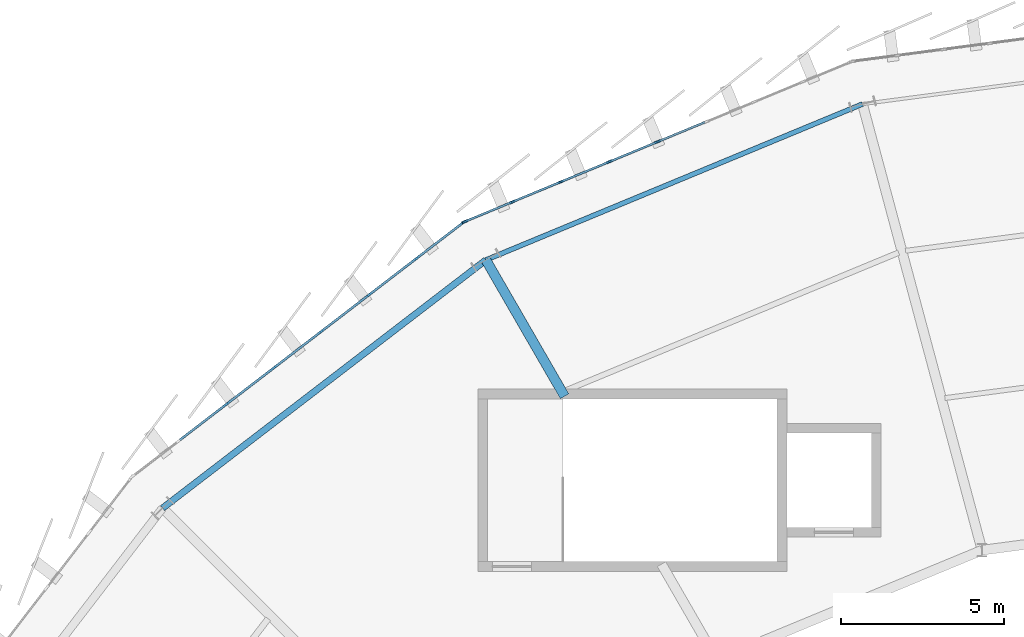
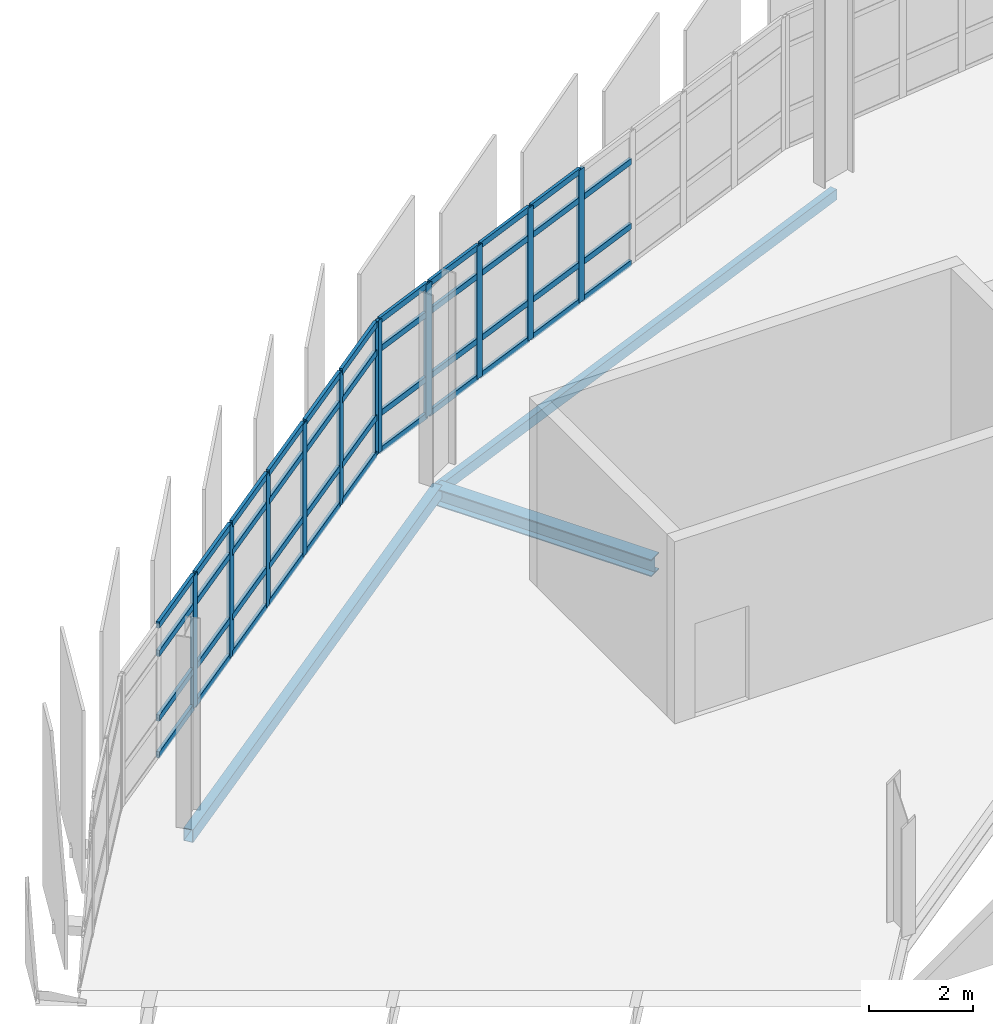
# One storey, part 33 of 67: 54 members, 3 beams, 2 elements without a shape of their own.
"""IFC4 building model written with IfcOpenShell, lengths in metres."""

from ifc_helpers import new_model, si_unit, direction, frame, origin, origin_2d, place, context, subcontext, project, spatial, rectangle, hollow_rectangle, i_section, extrude, material, layer, layer_set, material_profile, profile_set, type_object, element, aggregate, save


model = new_model("IFC4")

# Units and contexts
model_context = context("Model", 3, precision=1e-05, world=origin(), true_north=direction((0.0, 1.0)))
body_context = subcontext(model_context, "Body", "Model", "MODEL_VIEW")
ifc_project = project(units=[si_unit("LENGTHUNIT", "METRE"), si_unit("AREAUNIT", "SQUARE_METRE"), si_unit("VOLUMEUNIT", "CUBIC_METRE"), si_unit("PLANEANGLEUNIT", "RADIAN"), si_unit("MASSUNIT", "GRAM", prefix="KILO")], contexts=[model_context])

# Site, building, storey
site_placement = place(None, origin())
site = spatial("IfcSite", under=ifc_project, at=site_placement, CompositionType="ELEMENT")
building_placement = place(site_placement, origin())
building = spatial("IfcBuilding", under=site, at=building_placement, Name="Sohan Crest Arena", CompositionType="ELEMENT")
storey_placement = place(building_placement, frame((0.0, 0.0, 22.5)))
storey = spatial("IfcBuildingStorey", under=building, at=storey_placement, Name="L05", CompositionType="ELEMENT", Elevation=22.5)

# Curtain wall, members
ifc_material_1 = material(Name="Thermally broken anodised aluminium", Category="aluminium")
ifc_layer_1 = layer(ifc_material_1, 0.199951171875, Name="Thermally broken anodised aluminium")
ifc_layer_set_1 = layer_set([ifc_layer_1], Name="Thermally broken anodised aluminium")
curtain_wall_type_1 = type_object("IfcCurtainWallType", Name="ARC-CW02", PredefinedType="NOTDEFINED", material=ifc_layer_set_1)
curtain_wall_1_placement = place(storey_placement, origin())
curtain_wall_1 = element("IfcCurtainWall", 1, at=curtain_wall_1_placement, inside=storey, type_object=curtain_wall_type_1, Name="Unitised curtain wall CW-147", PredefinedType="NOTDEFINED")
ifc_material_profile_1 = material_profile(ifc_material_1, rectangle(XDim=0.06494140625, YDim=0.179931640625, at=origin_2d()), Name="ALU-MULL 65x180")
ifc_profile_set_1 = profile_set([ifc_material_profile_1], Name="Thermally broken anodised aluminium")
member_type_1 = type_object("IfcMemberType", Name="ARC-CW-ML02", PredefinedType="MULLION", material=ifc_profile_set_1)
member_1_placement = place(storey_placement, frame((79.27587890625, 123.202880859375, 0.0), z_axis=(0.0, 0.0, 1.0), x_axis=(0.382685432009, -0.923878704229, 0.0)))
member_1 = element("IfcMember", 2, at=member_1_placement, type_object=member_type_1, Name="CW-147 mullion 5", PredefinedType="MULLION", context=body_context, shape_type="SweptSolid", body=[
    extrude(rectangle(XDim=0.06494140625, YDim=0.179931640625, at=origin_2d()), origin(), (0.0, 0.0, 1.0), 3.1201171875),
])
member_2_placement = place(storey_placement, frame((77.788330078125, 122.586669921875, 0.0), z_axis=(0.0, 0.0, 1.0), x_axis=(0.382685432009, -0.923878704229, 0.0)))
member_2 = element("IfcMember", 3, at=member_2_placement, type_object=member_type_1, Name="CW-147 mullion 6", PredefinedType="MULLION", context=body_context, shape_type="SweptSolid", body=[
    extrude(rectangle(XDim=0.06494140625, YDim=0.179931640625, at=origin_2d()), origin(), (0.0, 0.0, 1.0), 3.1201171875),
])
member_3_placement = place(storey_placement, frame((76.300537109375, 121.970458984375, 0.0), z_axis=(0.0, 0.0, 1.0), x_axis=(0.382685432009, -0.923878704229, 0.0)))
member_3 = element("IfcMember", 4, at=member_3_placement, type_object=member_type_1, Name="CW-147 mullion 7", PredefinedType="MULLION", context=body_context, shape_type="SweptSolid", body=[
    extrude(rectangle(XDim=0.06494140625, YDim=0.179931640625, at=origin_2d()), origin(), (0.0, 0.0, 1.0), 3.1201171875),
])
member_4_placement = place(storey_placement, frame((74.812744140625, 121.354248046875, 0.0), z_axis=(0.0, 0.0, 1.0), x_axis=(0.382685432009, -0.923878704229, 0.0)))
member_4 = element("IfcMember", 5, at=member_4_placement, type_object=member_type_1, Name="CW-147 mullion 8", PredefinedType="MULLION", context=body_context, shape_type="SweptSolid", body=[
    extrude(rectangle(XDim=0.06494140625, YDim=0.179931640625, at=origin_2d()), origin(), (0.0, 0.0, 1.0), 3.1201171875),
])
member_5_placement = place(storey_placement, frame((73.35498046875, 120.75048828125, 0.0), z_axis=(0.0, 0.0, 1.0), x_axis=(0.382685432009, -0.923878704229, 0.0)))
member_5 = element("IfcMember", 6, at=member_5_placement, type_object=member_type_1, Name="CW-147 mullion 9", PredefinedType="MULLION", context=body_context, shape_type="SweptSolid", body=[
    extrude(rectangle(XDim=0.06494140625, YDim=0.179931640625, at=origin_2d()), origin(), (0.0, 0.0, 1.0), 3.1201171875),
])

ifc_layer_2 = layer(ifc_material_1, 0.219970703125, Name="Thermally broken anodised aluminium")
ifc_layer_set_2 = layer_set([ifc_layer_2], Name="Thermally broken anodised aluminium")
curtain_wall_type_2 = type_object("IfcCurtainWallType", Name="ARC-CW03", PredefinedType="NOTDEFINED", material=ifc_layer_set_2)
curtain_wall_2_placement = place(storey_placement, origin())
curtain_wall_2 = element("IfcCurtainWall", 7, at=curtain_wall_2_placement, inside=storey, type_object=curtain_wall_type_2, Name="Unitised curtain wall CW-148", PredefinedType="NOTDEFINED")
ifc_material_profile_2 = material_profile(ifc_material_1, rectangle(XDim=0.070068359375, YDim=0.199951171875, at=origin_2d()), Name="ALU-MULL 70x200")
ifc_profile_set_2 = profile_set([ifc_material_profile_2], Name="Thermally broken anodised aluminium")
member_type_2 = type_object("IfcMemberType", Name="ARC-CW-ML03", PredefinedType="MULLION", material=ifc_profile_set_2)
member_6_placement = place(storey_placement, frame((73.297119140625, 120.716796875, 0.0), z_axis=(0.0, 0.0, 1.0), x_axis=(0.60871994181, -0.793385172815, 0.0)))
member_6 = element("IfcMember", 8, at=member_6_placement, type_object=member_type_2, Name="CW-148 mullion 1", PredefinedType="MULLION", context=body_context, shape_type="SweptSolid", body=[
    extrude(rectangle(XDim=0.070068359375, YDim=0.199951171875, at=origin_2d()), origin(), (0.0, 0.0, 1.0), 3.1201171875),
])
member_7_placement = place(storey_placement, frame((71.86474609375, 119.61767578125, 0.0), z_axis=(0.0, 0.0, 1.0), x_axis=(0.60871994181, -0.793385172815, 0.0)))
member_7 = element("IfcMember", 9, at=member_7_placement, type_object=member_type_2, Name="CW-148 mullion 2", PredefinedType="MULLION", context=body_context, shape_type="SweptSolid", body=[
    extrude(rectangle(XDim=0.070068359375, YDim=0.199951171875, at=origin_2d()), origin(), (0.0, 0.0, 1.0), 3.1201171875),
])
member_8_placement = place(storey_placement, frame((70.40478515625, 118.497314453125, 0.0), z_axis=(0.0, 0.0, 1.0), x_axis=(0.60871994181, -0.793385172815, 0.0)))
member_8 = element("IfcMember", 10, at=member_8_placement, type_object=member_type_2, Name="CW-148 mullion 3", PredefinedType="MULLION", context=body_context, shape_type="SweptSolid", body=[
    extrude(rectangle(XDim=0.070068359375, YDim=0.199951171875, at=origin_2d()), origin(), (0.0, 0.0, 1.0), 3.1201171875),
])
member_9_placement = place(storey_placement, frame((68.944580078125, 117.377197265625, 0.0), z_axis=(0.0, 0.0, 1.0), x_axis=(0.60871994181, -0.793385172815, 0.0)))
member_9 = element("IfcMember", 11, at=member_9_placement, type_object=member_type_2, Name="CW-148 mullion 4", PredefinedType="MULLION", context=body_context, shape_type="SweptSolid", body=[
    extrude(rectangle(XDim=0.070068359375, YDim=0.199951171875, at=origin_2d()), origin(), (0.0, 0.0, 1.0), 3.1201171875),
])
member_10_placement = place(storey_placement, frame((67.484375, 116.2568359375, 0.0), z_axis=(0.0, 0.0, 1.0), x_axis=(0.60871994181, -0.793385172815, 0.0)))
member_10 = element("IfcMember", 12, at=member_10_placement, type_object=member_type_2, Name="CW-148 mullion 5", PredefinedType="MULLION", context=body_context, shape_type="SweptSolid", body=[
    extrude(rectangle(XDim=0.070068359375, YDim=0.199951171875, at=origin_2d()), origin(), (0.0, 0.0, 1.0), 3.1201171875),
])
member_11_placement = place(storey_placement, frame((66.024169921875, 115.136474609375, 0.0), z_axis=(0.0, 0.0, 1.0), x_axis=(0.60871994181, -0.793385172815, 0.0)))
member_11 = element("IfcMember", 13, at=member_11_placement, type_object=member_type_2, Name="CW-148 mullion 6", PredefinedType="MULLION", context=body_context, shape_type="SweptSolid", body=[
    extrude(rectangle(XDim=0.070068359375, YDim=0.199951171875, at=origin_2d()), origin(), (0.0, 0.0, 1.0), 3.1201171875),
])

# Member
ifc_material_profile_3 = material_profile(ifc_material_1, rectangle(XDim=0.06494140625, YDim=0.139892578125, at=origin_2d()), Name="ALU-TRAN 65x140")
ifc_profile_set_3 = profile_set([ifc_material_profile_3], Name="Thermally broken anodised aluminium")
member_type_3 = type_object("IfcMemberType", Name="ARC-CW-TR02", PredefinedType="USERDEFINED", material=ifc_profile_set_3)
member_12_placement = place(storey_placement, frame((80.733642578125, 123.806884765625, 0.032470703125), z_axis=(-0.923841599032, -0.382774999052, 0.0), x_axis=(0.382774999052, -0.923841599032, 0.0)))
member_12 = element("IfcMember", 14, at=member_12_placement, type_object=member_type_3, Name="CW-147 transom 4.1", ObjectType="TRANSOM", PredefinedType="USERDEFINED", context=body_context, shape_type="SweptSolid", body=[
    extrude(rectangle(XDim=0.06494140625, YDim=0.139892578125, at=origin_2d()), origin(), (0.0, 0.0, 1.0), 1.54541015625),
])

member_13_placement = place(storey_placement, frame((80.733642578125, 123.806884765625, 0.89990234375), z_axis=(-0.923841599032, -0.382774999052, 0.0), x_axis=(0.382774999052, -0.923841599032, 0.0)))
member_13 = element("IfcMember", 15, at=member_13_placement, type_object=member_type_3, Name="CW-147 transom 4.2", ObjectType="TRANSOM", PredefinedType="USERDEFINED", context=body_context, shape_type="SweptSolid", body=[
    extrude(rectangle(XDim=0.06494140625, YDim=0.139892578125, at=origin_2d()), origin(), (0.0, 0.0, 1.0), 1.54541015625),
])

member_14_placement = place(storey_placement, frame((80.733642578125, 123.806884765625, 2.419921875), z_axis=(-0.923841599032, -0.382774999052, 0.0), x_axis=(0.382774999052, -0.923841599032, 0.0)))
member_14 = element("IfcMember", 16, at=member_14_placement, type_object=member_type_3, Name="CW-147 transom 4.3", ObjectType="TRANSOM", PredefinedType="USERDEFINED", context=body_context, shape_type="SweptSolid", body=[
    extrude(rectangle(XDim=0.06494140625, YDim=0.139892578125, at=origin_2d()), origin(), (0.0, 0.0, 1.0), 1.54541015625),
])

member_15_placement = place(storey_placement, frame((79.24609375, 123.190673828125, 0.032470703125), z_axis=(-0.923841599032, -0.382774999052, 0.0), x_axis=(0.382774999052, -0.923841599032, 0.0)))
member_15 = element("IfcMember", 17, at=member_15_placement, type_object=member_type_3, Name="CW-147 transom 5.1", ObjectType="TRANSOM", PredefinedType="USERDEFINED", context=body_context, shape_type="SweptSolid", body=[
    extrude(rectangle(XDim=0.06494140625, YDim=0.139892578125, at=origin_2d()), origin(), (0.0, 0.0, 1.0), 1.54541015625),
])

member_16_placement = place(storey_placement, frame((79.24609375, 123.190673828125, 0.89990234375), z_axis=(-0.923841599032, -0.382774999052, 0.0), x_axis=(0.382774999052, -0.923841599032, 0.0)))
member_16 = element("IfcMember", 18, at=member_16_placement, type_object=member_type_3, Name="CW-147 transom 5.2", ObjectType="TRANSOM", PredefinedType="USERDEFINED", context=body_context, shape_type="SweptSolid", body=[
    extrude(rectangle(XDim=0.06494140625, YDim=0.139892578125, at=origin_2d()), origin(), (0.0, 0.0, 1.0), 1.54541015625),
])

member_17_placement = place(storey_placement, frame((79.24609375, 123.190673828125, 2.419921875), z_axis=(-0.923841599032, -0.382774999052, 0.0), x_axis=(0.382774999052, -0.923841599032, 0.0)))
member_17 = element("IfcMember", 19, at=member_17_placement, type_object=member_type_3, Name="CW-147 transom 5.3", ObjectType="TRANSOM", PredefinedType="USERDEFINED", context=body_context, shape_type="SweptSolid", body=[
    extrude(rectangle(XDim=0.06494140625, YDim=0.139892578125, at=origin_2d()), origin(), (0.0, 0.0, 1.0), 1.54541015625),
])

member_18_placement = place(storey_placement, frame((79.24609375, 123.190673828125, 3.08740234375), z_axis=(-0.923841599032, -0.382774999052, 0.0), x_axis=(0.382774999052, -0.923841599032, 0.0)))
member_18 = element("IfcMember", 20, at=member_18_placement, type_object=member_type_3, Name="CW-147 transom 5.4", ObjectType="TRANSOM", PredefinedType="USERDEFINED", context=body_context, shape_type="SweptSolid", body=[
    extrude(rectangle(XDim=0.06494140625, YDim=0.139892578125, at=origin_2d()), origin(), (0.0, 0.0, 1.0), 1.54541015625),
])

member_19_placement = place(storey_placement, frame((77.75830078125, 122.57421875, 0.032470703125), z_axis=(-0.923897456466, -0.382640157244, 0.0), x_axis=(0.382640157244, -0.923897456466, 0.0)))
member_19 = element("IfcMember", 21, at=member_19_placement, type_object=member_type_3, Name="CW-147 transom 6.1", ObjectType="TRANSOM", PredefinedType="USERDEFINED", context=body_context, shape_type="SweptSolid", body=[
    extrude(rectangle(XDim=0.06494140625, YDim=0.139892578125, at=origin_2d()), origin(), (0.0, 0.0, 1.0), 1.54541015625),
])

member_20_placement = place(storey_placement, frame((77.75830078125, 122.57421875, 0.89990234375), z_axis=(-0.923897456466, -0.382640157244, 0.0), x_axis=(0.382640157244, -0.923897456466, 0.0)))
member_20 = element("IfcMember", 22, at=member_20_placement, type_object=member_type_3, Name="CW-147 transom 6.2", ObjectType="TRANSOM", PredefinedType="USERDEFINED", context=body_context, shape_type="SweptSolid", body=[
    extrude(rectangle(XDim=0.06494140625, YDim=0.139892578125, at=origin_2d()), origin(), (0.0, 0.0, 1.0), 1.54541015625),
])

member_21_placement = place(storey_placement, frame((77.75830078125, 122.57421875, 2.419921875), z_axis=(-0.923897456466, -0.382640157244, 0.0), x_axis=(0.382640157244, -0.923897456466, 0.0)))
member_21 = element("IfcMember", 23, at=member_21_placement, type_object=member_type_3, Name="CW-147 transom 6.3", ObjectType="TRANSOM", PredefinedType="USERDEFINED", context=body_context, shape_type="SweptSolid", body=[
    extrude(rectangle(XDim=0.06494140625, YDim=0.139892578125, at=origin_2d()), origin(), (0.0, 0.0, 1.0), 1.54541015625),
])

member_22_placement = place(storey_placement, frame((77.75830078125, 122.57421875, 3.08740234375), z_axis=(-0.923897456466, -0.382640157244, 0.0), x_axis=(0.382640157244, -0.923897456466, 0.0)))
member_22 = element("IfcMember", 24, at=member_22_placement, type_object=member_type_3, Name="CW-147 transom 6.4", ObjectType="TRANSOM", PredefinedType="USERDEFINED", context=body_context, shape_type="SweptSolid", body=[
    extrude(rectangle(XDim=0.06494140625, YDim=0.139892578125, at=origin_2d()), origin(), (0.0, 0.0, 1.0), 1.54541015625),
])

member_23_placement = place(storey_placement, frame((76.2705078125, 121.9580078125, 0.032470703125), z_axis=(-0.923897456466, -0.382640157244, 0.0), x_axis=(0.382640157244, -0.923897456466, 0.0)))
member_23 = element("IfcMember", 25, at=member_23_placement, type_object=member_type_3, Name="CW-147 transom 7.1", ObjectType="TRANSOM", PredefinedType="USERDEFINED", context=body_context, shape_type="SweptSolid", body=[
    extrude(rectangle(XDim=0.06494140625, YDim=0.139892578125, at=origin_2d()), origin(), (0.0, 0.0, 1.0), 1.54541015625),
])

member_24_placement = place(storey_placement, frame((76.2705078125, 121.9580078125, 0.89990234375), z_axis=(-0.923897456466, -0.382640157244, 0.0), x_axis=(0.382640157244, -0.923897456466, 0.0)))
member_24 = element("IfcMember", 26, at=member_24_placement, type_object=member_type_3, Name="CW-147 transom 7.2", ObjectType="TRANSOM", PredefinedType="USERDEFINED", context=body_context, shape_type="SweptSolid", body=[
    extrude(rectangle(XDim=0.06494140625, YDim=0.139892578125, at=origin_2d()), origin(), (0.0, 0.0, 1.0), 1.54541015625),
])

member_25_placement = place(storey_placement, frame((76.2705078125, 121.9580078125, 2.419921875), z_axis=(-0.923897456466, -0.382640157244, 0.0), x_axis=(0.382640157244, -0.923897456466, 0.0)))
member_25 = element("IfcMember", 27, at=member_25_placement, type_object=member_type_3, Name="CW-147 transom 7.3", ObjectType="TRANSOM", PredefinedType="USERDEFINED", context=body_context, shape_type="SweptSolid", body=[
    extrude(rectangle(XDim=0.06494140625, YDim=0.139892578125, at=origin_2d()), origin(), (0.0, 0.0, 1.0), 1.54541015625),
])

member_26_placement = place(storey_placement, frame((76.2705078125, 121.9580078125, 3.08740234375), z_axis=(-0.923897456466, -0.382640157244, 0.0), x_axis=(0.382640157244, -0.923897456466, 0.0)))
member_26 = element("IfcMember", 28, at=member_26_placement, type_object=member_type_3, Name="CW-147 transom 7.4", ObjectType="TRANSOM", PredefinedType="USERDEFINED", context=body_context, shape_type="SweptSolid", body=[
    extrude(rectangle(XDim=0.06494140625, YDim=0.139892578125, at=origin_2d()), origin(), (0.0, 0.0, 1.0), 1.54541015625),
])

member_27_placement = place(storey_placement, frame((74.78271484375, 121.341796875, 0.032470703125), z_axis=(-0.923900792868, -0.382632101291, 0.0), x_axis=(0.382632101291, -0.923900792868, 0.0)))
member_27 = element("IfcMember", 29, at=member_27_placement, type_object=member_type_3, Name="CW-147 transom 8.1", ObjectType="TRANSOM", PredefinedType="USERDEFINED", context=body_context, shape_type="SweptSolid", body=[
    extrude(rectangle(XDim=0.06494140625, YDim=0.139892578125, at=origin_2d()), origin(), (0.0, 0.0, 1.0), 1.512939453125),
])

member_28_placement = place(storey_placement, frame((74.78271484375, 121.341796875, 0.89990234375), z_axis=(-0.923900792868, -0.382632101291, 0.0), x_axis=(0.382632101291, -0.923900792868, 0.0)))
member_28 = element("IfcMember", 30, at=member_28_placement, type_object=member_type_3, Name="CW-147 transom 8.2", ObjectType="TRANSOM", PredefinedType="USERDEFINED", context=body_context, shape_type="SweptSolid", body=[
    extrude(rectangle(XDim=0.06494140625, YDim=0.139892578125, at=origin_2d()), origin(), (0.0, 0.0, 1.0), 1.512939453125),
])

member_29_placement = place(storey_placement, frame((74.78271484375, 121.341796875, 2.419921875), z_axis=(-0.923900792868, -0.382632101291, 0.0), x_axis=(0.382632101291, -0.923900792868, 0.0)))
member_29 = element("IfcMember", 31, at=member_29_placement, type_object=member_type_3, Name="CW-147 transom 8.3", ObjectType="TRANSOM", PredefinedType="USERDEFINED", context=body_context, shape_type="SweptSolid", body=[
    extrude(rectangle(XDim=0.06494140625, YDim=0.139892578125, at=origin_2d()), origin(), (0.0, 0.0, 1.0), 1.512939453125),
])

member_30_placement = place(storey_placement, frame((74.78271484375, 121.341796875, 3.08740234375), z_axis=(-0.923900792868, -0.382632101291, 0.0), x_axis=(0.382632101291, -0.923900792868, 0.0)))
member_30 = element("IfcMember", 32, at=member_30_placement, type_object=member_type_3, Name="CW-147 transom 8.4", ObjectType="TRANSOM", PredefinedType="USERDEFINED", context=body_context, shape_type="SweptSolid", body=[
    extrude(rectangle(XDim=0.06494140625, YDim=0.139892578125, at=origin_2d()), origin(), (0.0, 0.0, 1.0), 1.512939453125),
])

aggregate(curtain_wall_1, [member_1, member_2, member_3, member_4, member_5, member_12, member_13, member_14, member_15, member_16, member_17, member_18, member_19, member_20, member_21, member_22, member_23, member_24, member_25, member_26, member_27, member_28, member_29, member_30])

ifc_material_profile_4 = material_profile(ifc_material_1, rectangle(XDim=0.070068359375, YDim=0.14990234375, at=origin_2d()), Name="ALU-TRAN 70x150")
ifc_profile_set_4 = profile_set([ifc_material_profile_4], Name="Thermally broken anodised aluminium")
member_type_4 = type_object("IfcMemberType", Name="ARC-CW-TR03", PredefinedType="USERDEFINED", material=ifc_profile_set_4)
member_31_placement = place(storey_placement, frame((73.26953125, 120.6953125, 0.034912109375), z_axis=(-0.793402540985, -0.60869730405, 0.0), x_axis=(0.60869730405, -0.793402540985, 0.0)))
member_31 = element("IfcMember", 33, at=member_31_placement, type_object=member_type_4, Name="CW-148 transom 1.1", ObjectType="TRANSOM", PredefinedType="USERDEFINED", context=body_context, shape_type="SweptSolid", body=[
    extrude(rectangle(XDim=0.070068359375, YDim=0.14990234375, at=origin_2d()), origin(), (0.0, 0.0, 1.0), 1.735595703125),
])

member_32_placement = place(storey_placement, frame((73.26953125, 120.6953125, 0.89990234375), z_axis=(-0.793402540985, -0.60869730405, 0.0), x_axis=(0.60869730405, -0.793402540985, 0.0)))
member_32 = element("IfcMember", 34, at=member_32_placement, type_object=member_type_4, Name="CW-148 transom 1.2", ObjectType="TRANSOM", PredefinedType="USERDEFINED", context=body_context, shape_type="SweptSolid", body=[
    extrude(rectangle(XDim=0.070068359375, YDim=0.14990234375, at=origin_2d()), origin(), (0.0, 0.0, 1.0), 1.735595703125),
])

member_33_placement = place(storey_placement, frame((73.26953125, 120.6953125, 2.419921875), z_axis=(-0.793402540985, -0.60869730405, 0.0), x_axis=(0.60869730405, -0.793402540985, 0.0)))
member_33 = element("IfcMember", 35, at=member_33_placement, type_object=member_type_4, Name="CW-148 transom 1.3", ObjectType="TRANSOM", PredefinedType="USERDEFINED", context=body_context, shape_type="SweptSolid", body=[
    extrude(rectangle(XDim=0.070068359375, YDim=0.14990234375, at=origin_2d()), origin(), (0.0, 0.0, 1.0), 1.735595703125),
])

member_34_placement = place(storey_placement, frame((73.26953125, 120.6953125, 3.0849609375), z_axis=(-0.793402540985, -0.60869730405, 0.0), x_axis=(0.60869730405, -0.793402540985, 0.0)))
member_34 = element("IfcMember", 36, at=member_34_placement, type_object=member_type_4, Name="CW-148 transom 1.4", ObjectType="TRANSOM", PredefinedType="USERDEFINED", context=body_context, shape_type="SweptSolid", body=[
    extrude(rectangle(XDim=0.070068359375, YDim=0.14990234375, at=origin_2d()), origin(), (0.0, 0.0, 1.0), 1.735595703125),
])

member_35_placement = place(storey_placement, frame((71.837158203125, 119.596435546875, 0.034912109375), z_axis=(-0.793433215752, -0.608657319139, 0.0), x_axis=(0.608657319139, -0.793433215752, 0.0)))
member_35 = element("IfcMember", 37, at=member_35_placement, type_object=member_type_4, Name="CW-148 transom 2.1", ObjectType="TRANSOM", PredefinedType="USERDEFINED", context=body_context, shape_type="SweptSolid", body=[
    extrude(rectangle(XDim=0.070068359375, YDim=0.14990234375, at=origin_2d()), origin(), (0.0, 0.0, 1.0), 1.7705078125),
])

member_36_placement = place(storey_placement, frame((71.837158203125, 119.596435546875, 0.89990234375), z_axis=(-0.793433215752, -0.608657319139, 0.0), x_axis=(0.608657319139, -0.793433215752, 0.0)))
member_36 = element("IfcMember", 38, at=member_36_placement, type_object=member_type_4, Name="CW-148 transom 2.2", ObjectType="TRANSOM", PredefinedType="USERDEFINED", context=body_context, shape_type="SweptSolid", body=[
    extrude(rectangle(XDim=0.070068359375, YDim=0.14990234375, at=origin_2d()), origin(), (0.0, 0.0, 1.0), 1.7705078125),
])

member_37_placement = place(storey_placement, frame((71.837158203125, 119.596435546875, 2.419921875), z_axis=(-0.793433215752, -0.608657319139, 0.0), x_axis=(0.608657319139, -0.793433215752, 0.0)))
member_37 = element("IfcMember", 39, at=member_37_placement, type_object=member_type_4, Name="CW-148 transom 2.3", ObjectType="TRANSOM", PredefinedType="USERDEFINED", context=body_context, shape_type="SweptSolid", body=[
    extrude(rectangle(XDim=0.070068359375, YDim=0.14990234375, at=origin_2d()), origin(), (0.0, 0.0, 1.0), 1.7705078125),
])

member_38_placement = place(storey_placement, frame((71.837158203125, 119.596435546875, 3.0849609375), z_axis=(-0.793433215752, -0.608657319139, 0.0), x_axis=(0.608657319139, -0.793433215752, 0.0)))
member_38 = element("IfcMember", 40, at=member_38_placement, type_object=member_type_4, Name="CW-148 transom 2.4", ObjectType="TRANSOM", PredefinedType="USERDEFINED", context=body_context, shape_type="SweptSolid", body=[
    extrude(rectangle(XDim=0.070068359375, YDim=0.14990234375, at=origin_2d()), origin(), (0.0, 0.0, 1.0), 1.7705078125),
])

member_39_placement = place(storey_placement, frame((70.376953125, 118.47607421875, 0.034912109375), z_axis=(-0.793382123212, -0.60872391654, 0.0), x_axis=(0.60872391654, -0.793382123212, 0.0)))
member_39 = element("IfcMember", 41, at=member_39_placement, type_object=member_type_4, Name="CW-148 transom 3.1", ObjectType="TRANSOM", PredefinedType="USERDEFINED", context=body_context, shape_type="SweptSolid", body=[
    extrude(rectangle(XDim=0.070068359375, YDim=0.14990234375, at=origin_2d()), origin(), (0.0, 0.0, 1.0), 1.770263671875),
])

member_40_placement = place(storey_placement, frame((70.376953125, 118.47607421875, 0.89990234375), z_axis=(-0.793382123212, -0.60872391654, 0.0), x_axis=(0.60872391654, -0.793382123212, 0.0)))
member_40 = element("IfcMember", 42, at=member_40_placement, type_object=member_type_4, Name="CW-148 transom 3.2", ObjectType="TRANSOM", PredefinedType="USERDEFINED", context=body_context, shape_type="SweptSolid", body=[
    extrude(rectangle(XDim=0.070068359375, YDim=0.14990234375, at=origin_2d()), origin(), (0.0, 0.0, 1.0), 1.770263671875),
])

member_41_placement = place(storey_placement, frame((70.376953125, 118.47607421875, 2.419921875), z_axis=(-0.793382123212, -0.60872391654, 0.0), x_axis=(0.60872391654, -0.793382123212, 0.0)))
member_41 = element("IfcMember", 43, at=member_41_placement, type_object=member_type_4, Name="CW-148 transom 3.3", ObjectType="TRANSOM", PredefinedType="USERDEFINED", context=body_context, shape_type="SweptSolid", body=[
    extrude(rectangle(XDim=0.070068359375, YDim=0.14990234375, at=origin_2d()), origin(), (0.0, 0.0, 1.0), 1.770263671875),
])

member_42_placement = place(storey_placement, frame((70.376953125, 118.47607421875, 3.0849609375), z_axis=(-0.793382123212, -0.60872391654, 0.0), x_axis=(0.60872391654, -0.793382123212, 0.0)))
member_42 = element("IfcMember", 44, at=member_42_placement, type_object=member_type_4, Name="CW-148 transom 3.4", ObjectType="TRANSOM", PredefinedType="USERDEFINED", context=body_context, shape_type="SweptSolid", body=[
    extrude(rectangle(XDim=0.070068359375, YDim=0.14990234375, at=origin_2d()), origin(), (0.0, 0.0, 1.0), 1.770263671875),
])

member_43_placement = place(storey_placement, frame((68.916748046875, 117.35595703125, 0.034912109375), z_axis=(-0.793315521511, -0.608810712232, 0.0), x_axis=(0.608810712232, -0.793315521511, 0.0)))
member_43 = element("IfcMember", 45, at=member_43_placement, type_object=member_type_4, Name="CW-148 transom 4.1", ObjectType="TRANSOM", PredefinedType="USERDEFINED", context=body_context, shape_type="SweptSolid", body=[
    extrude(rectangle(XDim=0.070068359375, YDim=0.14990234375, at=origin_2d()), origin(), (0.0, 0.0, 1.0), 1.7705078125),
])

member_44_placement = place(storey_placement, frame((68.916748046875, 117.35595703125, 0.89990234375), z_axis=(-0.793315521511, -0.608810712232, 0.0), x_axis=(0.608810712232, -0.793315521511, 0.0)))
member_44 = element("IfcMember", 46, at=member_44_placement, type_object=member_type_4, Name="CW-148 transom 4.2", ObjectType="TRANSOM", PredefinedType="USERDEFINED", context=body_context, shape_type="SweptSolid", body=[
    extrude(rectangle(XDim=0.070068359375, YDim=0.14990234375, at=origin_2d()), origin(), (0.0, 0.0, 1.0), 1.7705078125),
])

member_45_placement = place(storey_placement, frame((68.916748046875, 117.35595703125, 2.419921875), z_axis=(-0.793315521511, -0.608810712232, 0.0), x_axis=(0.608810712232, -0.793315521511, 0.0)))
member_45 = element("IfcMember", 47, at=member_45_placement, type_object=member_type_4, Name="CW-148 transom 4.3", ObjectType="TRANSOM", PredefinedType="USERDEFINED", context=body_context, shape_type="SweptSolid", body=[
    extrude(rectangle(XDim=0.070068359375, YDim=0.14990234375, at=origin_2d()), origin(), (0.0, 0.0, 1.0), 1.7705078125),
])

member_46_placement = place(storey_placement, frame((68.916748046875, 117.35595703125, 3.0849609375), z_axis=(-0.793315521511, -0.608810712232, 0.0), x_axis=(0.608810712232, -0.793315521511, 0.0)))
member_46 = element("IfcMember", 48, at=member_46_placement, type_object=member_type_4, Name="CW-148 transom 4.4", ObjectType="TRANSOM", PredefinedType="USERDEFINED", context=body_context, shape_type="SweptSolid", body=[
    extrude(rectangle(XDim=0.070068359375, YDim=0.14990234375, at=origin_2d()), origin(), (0.0, 0.0, 1.0), 1.7705078125),
])

member_47_placement = place(storey_placement, frame((67.45654296875, 116.235595703125, 0.034912109375), z_axis=(-0.793382123212, -0.60872391654, 0.0), x_axis=(0.60872391654, -0.793382123212, 0.0)))
member_47 = element("IfcMember", 49, at=member_47_placement, type_object=member_type_4, Name="CW-148 transom 5.1", ObjectType="TRANSOM", PredefinedType="USERDEFINED", context=body_context, shape_type="SweptSolid", body=[
    extrude(rectangle(XDim=0.070068359375, YDim=0.14990234375, at=origin_2d()), origin(), (0.0, 0.0, 1.0), 1.770263671875),
])

member_48_placement = place(storey_placement, frame((67.45654296875, 116.235595703125, 0.89990234375), z_axis=(-0.793382123212, -0.60872391654, 0.0), x_axis=(0.60872391654, -0.793382123212, 0.0)))
member_48 = element("IfcMember", 50, at=member_48_placement, type_object=member_type_4, Name="CW-148 transom 5.2", ObjectType="TRANSOM", PredefinedType="USERDEFINED", context=body_context, shape_type="SweptSolid", body=[
    extrude(rectangle(XDim=0.070068359375, YDim=0.14990234375, at=origin_2d()), origin(), (0.0, 0.0, 1.0), 1.770263671875),
])

member_49_placement = place(storey_placement, frame((67.45654296875, 116.235595703125, 2.419921875), z_axis=(-0.793382123212, -0.60872391654, 0.0), x_axis=(0.60872391654, -0.793382123212, 0.0)))
member_49 = element("IfcMember", 51, at=member_49_placement, type_object=member_type_4, Name="CW-148 transom 5.3", ObjectType="TRANSOM", PredefinedType="USERDEFINED", context=body_context, shape_type="SweptSolid", body=[
    extrude(rectangle(XDim=0.070068359375, YDim=0.14990234375, at=origin_2d()), origin(), (0.0, 0.0, 1.0), 1.770263671875),
])

member_50_placement = place(storey_placement, frame((67.45654296875, 116.235595703125, 3.0849609375), z_axis=(-0.793382123212, -0.60872391654, 0.0), x_axis=(0.60872391654, -0.793382123212, 0.0)))
member_50 = element("IfcMember", 52, at=member_50_placement, type_object=member_type_4, Name="CW-148 transom 5.4", ObjectType="TRANSOM", PredefinedType="USERDEFINED", context=body_context, shape_type="SweptSolid", body=[
    extrude(rectangle(XDim=0.070068359375, YDim=0.14990234375, at=origin_2d()), origin(), (0.0, 0.0, 1.0), 1.770263671875),
])

member_51_placement = place(storey_placement, frame((65.99658203125, 115.115234375, 0.034912109375), z_axis=(-0.793433215752, -0.608657319139, 0.0), x_axis=(0.608657319139, -0.793433215752, 0.0)))
member_51 = element("IfcMember", 53, at=member_51_placement, type_object=member_type_4, Name="CW-148 transom 6.1", ObjectType="TRANSOM", PredefinedType="USERDEFINED", context=body_context, shape_type="SweptSolid", body=[
    extrude(rectangle(XDim=0.070068359375, YDim=0.14990234375, at=origin_2d()), origin(), (0.0, 0.0, 1.0), 1.7705078125),
])

member_52_placement = place(storey_placement, frame((65.99658203125, 115.115234375, 0.89990234375), z_axis=(-0.793433215752, -0.608657319139, 0.0), x_axis=(0.608657319139, -0.793433215752, 0.0)))
member_52 = element("IfcMember", 54, at=member_52_placement, type_object=member_type_4, Name="CW-148 transom 6.2", ObjectType="TRANSOM", PredefinedType="USERDEFINED", context=body_context, shape_type="SweptSolid", body=[
    extrude(rectangle(XDim=0.070068359375, YDim=0.14990234375, at=origin_2d()), origin(), (0.0, 0.0, 1.0), 1.7705078125),
])

member_53_placement = place(storey_placement, frame((65.99658203125, 115.115234375, 2.419921875), z_axis=(-0.793433215752, -0.608657319139, 0.0), x_axis=(0.608657319139, -0.793433215752, 0.0)))
member_53 = element("IfcMember", 55, at=member_53_placement, type_object=member_type_4, Name="CW-148 transom 6.3", ObjectType="TRANSOM", PredefinedType="USERDEFINED", context=body_context, shape_type="SweptSolid", body=[
    extrude(rectangle(XDim=0.070068359375, YDim=0.14990234375, at=origin_2d()), origin(), (0.0, 0.0, 1.0), 1.7705078125),
])

member_54_placement = place(storey_placement, frame((65.99658203125, 115.115234375, 3.0849609375), z_axis=(-0.793433215752, -0.608657319139, 0.0), x_axis=(0.608657319139, -0.793433215752, 0.0)))
member_54 = element("IfcMember", 56, at=member_54_placement, type_object=member_type_4, Name="CW-148 transom 6.4", ObjectType="TRANSOM", PredefinedType="USERDEFINED", context=body_context, shape_type="SweptSolid", body=[
    extrude(rectangle(XDim=0.070068359375, YDim=0.14990234375, at=origin_2d()), origin(), (0.0, 0.0, 1.0), 1.7705078125),
])

aggregate(curtain_wall_2, [member_6, member_7, member_8, member_9, member_10, member_11, member_31, member_32, member_33, member_34, member_35, member_36, member_37, member_38, member_39, member_40, member_41, member_42, member_43, member_44, member_45, member_46, member_47, member_48, member_49, member_50, member_51, member_52, member_53, member_54])

# Beams
ifc_material_2 = material(Name="Steel S355", Category="steel")
ifc_material_profile_5 = material_profile(ifc_material_2, i_section(OverallWidth=0.300048828125, OverallDepth=0.39990234375, WebThickness=0.013427734375, FlangeThickness=0.02392578125, at=origin_2d()), Name="HEB 400")
ifc_profile_set_5 = profile_set([ifc_material_profile_5], Name="Steel S355")
beam_type_1 = type_object("IfcBeamType", Name="STR-BM-B13", PredefinedType="BEAM", material=ifc_profile_set_5)
beam_1_placement = place(storey_placement, frame((76.4189453125, 115.3798828125, -0.449951171875), z_axis=(-0.500047190239, 0.865998156773, 0.0), x_axis=(-0.865998156773, -0.500047190239, 0.0)))
element("IfcBeam", 57, at=beam_1_placement, inside=storey, type_object=beam_type_1, Name="Structural beam G-L05-1717", PredefinedType="BEAM", context=body_context, shape_type="SweptSolid", body=[
    extrude(i_section(OverallWidth=0.300048828125, OverallDepth=0.39990234375, WebThickness=0.013427734375, FlangeThickness=0.02392578125, at=origin_2d()), origin(), (0.0, 0.0, 1.0), 4.83740234375),
])
ifc_material_profile_6 = material_profile(ifc_material_2, hollow_rectangle(XDim=0.14990234375, YDim=0.25, WallThickness=0.010009765625, at=origin_2d()), Name="RHS 250x150x10")
ifc_profile_set_6 = profile_set([ifc_material_profile_6], Name="Steel S355")
beam_type_2 = type_object("IfcBeamType", Name="STR-BM-SP02", PredefinedType="SPANDREL", material=ifc_profile_set_6)
beam_2_placement = place(storey_placement, frame((85.576904296875, 124.364013671875, -0.375), z_axis=(-0.923890504882, -0.382656941645, 0.0), x_axis=(0.382656941645, -0.923890504882, 0.0)))
element("IfcBeam", 58, at=beam_2_placement, inside=storey, type_object=beam_type_2, Name="Structural beam SP-L05-1714", PredefinedType="SPANDREL", context=body_context, shape_type="SweptSolid", body=[
    extrude(hollow_rectangle(XDim=0.14990234375, YDim=0.25, WallThickness=0.010009765625, at=origin_2d()), origin(), (0.0, 0.0, 1.0), 12.530517578125),
])
ifc_material_profile_7 = material_profile(ifc_material_2, hollow_rectangle(XDim=0.199951171875, YDim=0.300048828125, WallThickness=0.010009765625, at=origin_2d()), Name="RHS 300x200x10")
ifc_profile_set_7 = profile_set([ifc_material_profile_7], Name="Steel S355")
beam_type_3 = type_object("IfcBeamType", Name="STR-BM-SP03", PredefinedType="SPANDREL", material=ifc_profile_set_7)
beam_3_placement = place(storey_placement, frame((74.0, 119.569091796875, -0.39990234375), z_axis=(-0.793344121205, -0.608773443368, 0.0), x_axis=(0.608773443368, -0.793344121205, 0.0)))
element("IfcBeam", 59, at=beam_3_placement, inside=storey, type_object=beam_type_3, Name="Structural beam SP-L05-1719", PredefinedType="SPANDREL", context=body_context, shape_type="SweptSolid", body=[
    extrude(hollow_rectangle(XDim=0.199951171875, YDim=0.300048828125, WallThickness=0.010009765625, at=origin_2d()), origin(), (0.0, 0.0, 1.0), 12.530517578125),
])

save(model, "model.ifc")
